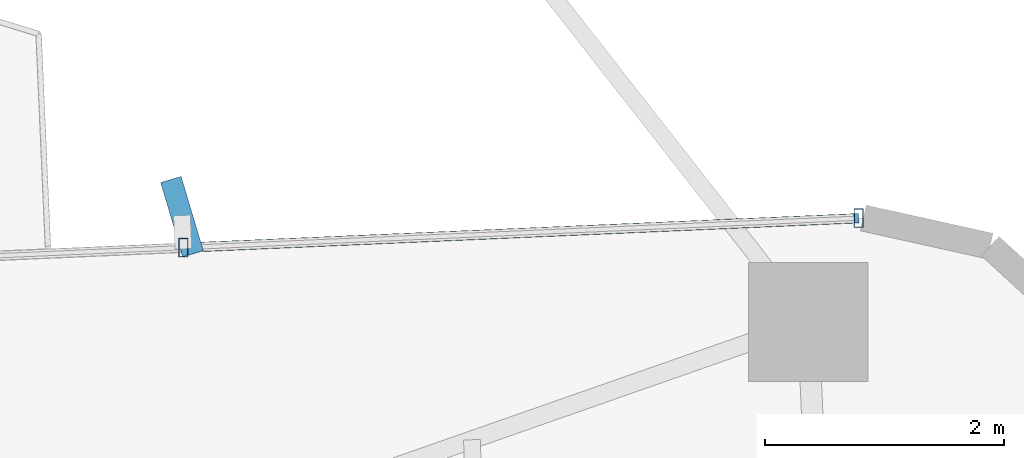
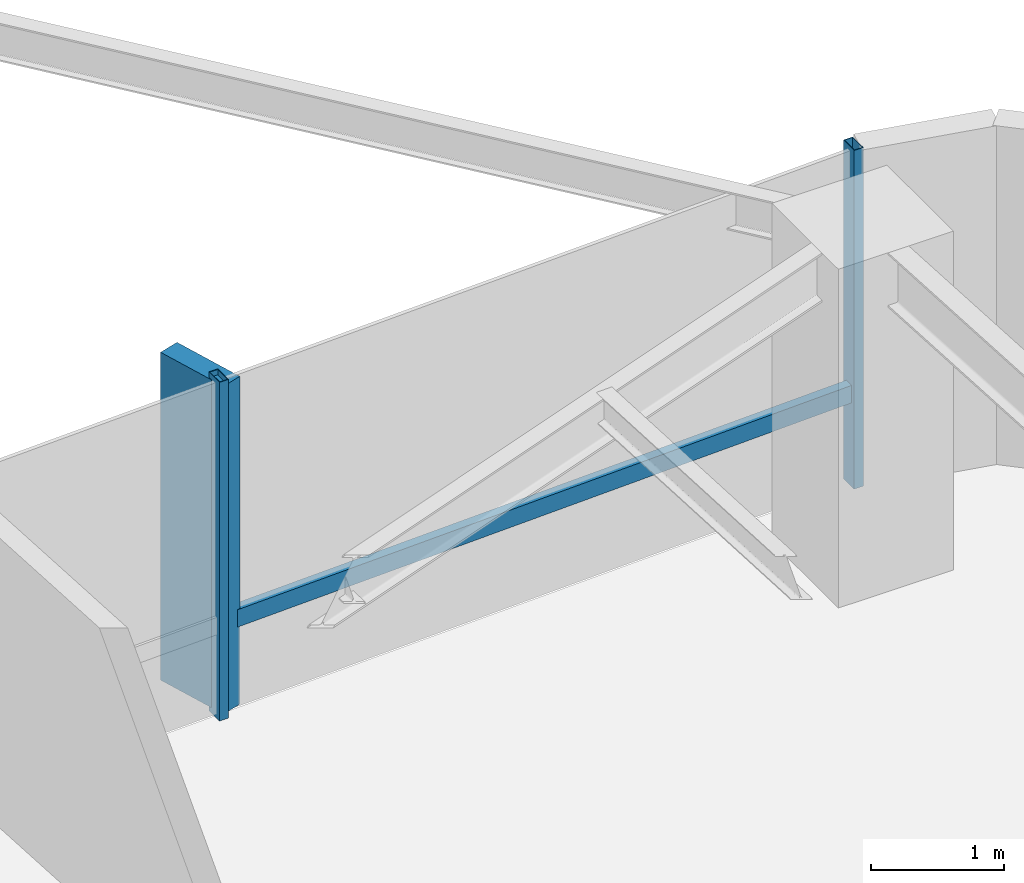
# One storey, part 20 of 26: 4 members, 1 element without a shape of its own.
"""IFC4 building model written with IfcOpenShell, lengths in metres."""

from ifc_helpers import new_model, si_unit, direction, frame, origin, origin_2d, place, context, subcontext, project, spatial, rectangle, hollow_rectangle, extrude, source, transform, mapped, material, material_profile, profile_set, type_object, element, aggregate, save


model = new_model("IFC4")

# Units and contexts
model_context = context("Model", 3, precision=1e-05, world=origin(), true_north=direction((0.0, 1.0)))
body_context = subcontext(model_context, "Body", "Model", "MODEL_VIEW")
ifc_project = project(units=[si_unit("LENGTHUNIT", "METRE"), si_unit("AREAUNIT", "SQUARE_METRE"), si_unit("VOLUMEUNIT", "CUBIC_METRE"), si_unit("PLANEANGLEUNIT", "RADIAN"), si_unit("MASSUNIT", "GRAM", prefix="KILO")], contexts=[model_context])

# Site, building, storey
site_placement = place(None, origin())
site = spatial("IfcSite", under=ifc_project, at=site_placement, CompositionType="ELEMENT")
building_placement = place(site_placement, origin())
building = spatial("IfcBuilding", under=site, at=building_placement, Name="Sahyath Konkavel Grand Hotel", CompositionType="ELEMENT")
storey_placement = place(building_placement, frame((0.0, 0.0, 111.449951171875)))
storey = spatial("IfcBuildingStorey", under=building, at=storey_placement, Name="L30", CompositionType="ELEMENT", Elevation=111.449951171875)

# Curtain wall, members
ifc_material_1 = material(Name="Anodised Bronze Aluminium & Low-E Glazing", Category="aluminium")
curtain_wall_type = type_object("IfcCurtainWallType", Name="CW-ZONE2", PredefinedType="NOTDEFINED", material=ifc_material_1)
curtain_wall_placement = place(storey_placement, origin())
curtain_wall = element("IfcCurtainWall", 1, at=curtain_wall_placement, inside=storey, type_object=curtain_wall_type, Name="L30 Unitised Curtain Wall F7", PredefinedType="NOTDEFINED")
ifc_material_2 = material(Name="Warm Buff Sandstone Cladding on Concrete C50/60", Category="masonry")
ifc_material_profile_1 = material_profile(ifc_material_2, rectangle(XDim=0.179931640625, YDim=0.64990234375, at=origin_2d()), Name="FIN 180x650")
ifc_profile_set_1 = profile_set([ifc_material_profile_1], Name="Warm Buff Sandstone Cladding on Concrete C50/60")
member_type_1 = type_object("IfcMemberType", Name="FIN-SANDSTONE-650", PredefinedType="MULLION", material=ifc_profile_set_1)
shared_shape_1 = source(origin(), body_context, "Body", "SweptSolid", [
    extrude(rectangle(XDim=0.179931640625, YDim=0.64990234375, at=origin_2d()), origin(), (0.0, 0.0, 1.0), 3.010009765625),
])
member_1_placement = place(storey_placement, frame((11.989013671875, 7.39013671875, 0.050048828125), z_axis=(0.0, 0.0, 1.0), x_axis=(0.958172857028, 0.286190104747, 0.0)))
member_1 = element("IfcMember", 2, at=member_1_placement, type_object=member_type_1, Name="L30 Sandstone Vertical Solar Fin FIN F7-1", PredefinedType="MULLION", context=body_context, shape_type="MappedRepresentation", body=[
    mapped(shared_shape_1, transform((0.0, 0.0, 0.0), scale=1.0)),
])
ifc_material_3 = material(Name="Anodised Bronze Aluminium", Category="aluminium")
ifc_material_profile_2 = material_profile(ifc_material_3, hollow_rectangle(XDim=0.080078125, YDim=0.159912109375, WallThickness=0.006103515625, at=origin_2d()), Name="RHS 160x80x6")
ifc_profile_set_2 = profile_set([ifc_material_profile_2], Name="Anodised Bronze Aluminium")
member_type_2 = type_object("IfcMemberType", Name="CW-MUL-160", PredefinedType="MULLION", material=ifc_profile_set_2)
shared_shape_2 = source(origin(), body_context, "Body", "SweptSolid", [
    extrude(hollow_rectangle(XDim=0.080078125, YDim=0.159912109375, WallThickness=0.006103515625, at=origin_2d()), origin(), (0.0, 0.0, 1.0), 3.110107421875),
])
member_2_placement = place(storey_placement, frame((17.655029296875, 7.377197265625, 0.0), z_axis=(0.0, 0.0, 1.0), x_axis=(1.0, 0.0, 0.0)))
member_2 = element("IfcMember", 3, at=member_2_placement, type_object=member_type_2, Name="L30 Curtain Wall Mullion F7-0", PredefinedType="MULLION", context=body_context, shape_type="MappedRepresentation", body=[
    mapped(shared_shape_2, transform((0.0, 0.0, 0.0), scale=1.0)),
])
member_3_placement = place(storey_placement, frame((12.00048828125, 7.13037109375, 0.0), z_axis=(0.0, 0.0, 1.0), x_axis=(1.0, 0.0, 0.0)))
member_3 = element("IfcMember", 4, at=member_3_placement, type_object=member_type_2, Name="L30 Curtain Wall Mullion F7-1", PredefinedType="MULLION", context=body_context, shape_type="MappedRepresentation", body=[
    mapped(shared_shape_2, transform((0.0, 0.0, 0.0), scale=1.0)),
])
ifc_material_profile_3 = material_profile(ifc_material_3, hollow_rectangle(XDim=0.080078125, YDim=0.159912109375, WallThickness=0.006103515625, at=origin_2d()), Name="RHS 160x80x6")
ifc_profile_set_3 = profile_set([ifc_material_profile_3], Name="Anodised Bronze Aluminium")
member_type_3 = type_object("IfcMemberType", Name="CW-TRN-160", PredefinedType="USERDEFINED", material=ifc_profile_set_3)
shared_shape_3 = source(origin(), body_context, "Body", "SweptSolid", [
    extrude(hollow_rectangle(XDim=0.080078125, YDim=0.159912109375, WallThickness=0.006103515625, at=origin_2d()), origin(), (0.0, 0.0, 1.0), 5.659912109375),
])
member_4_placement = place(storey_placement, frame((17.655029296875, 7.377197265625, 0.85009765625), z_axis=(-0.999048655935, -0.043609437898, 0.0), x_axis=(0.043609437898, -0.999048655935, 0.0)))
member_4 = element("IfcMember", 5, at=member_4_placement, type_object=member_type_3, Name="L30 Curtain Wall Transom F7-0-spandrel", ObjectType="TRANSOM", PredefinedType="USERDEFINED", context=body_context, shape_type="MappedRepresentation", body=[
    mapped(shared_shape_3, transform((0.0, 0.0, 0.0), scale=1.0)),
])
aggregate(curtain_wall, [member_2, member_3, member_1, member_4])

save(model, "model.ifc")
